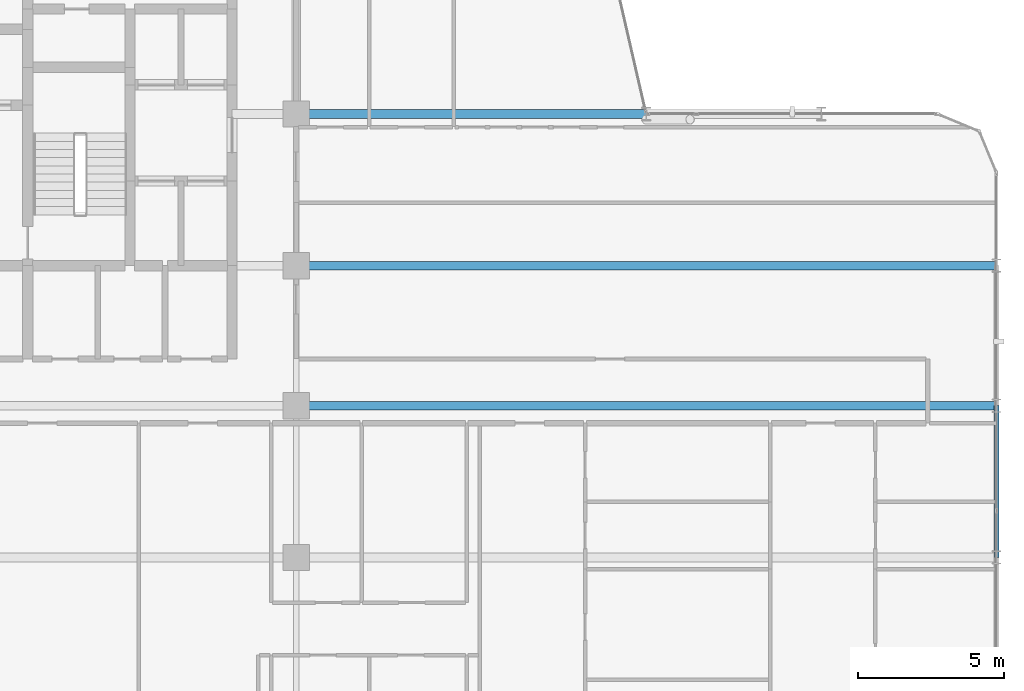
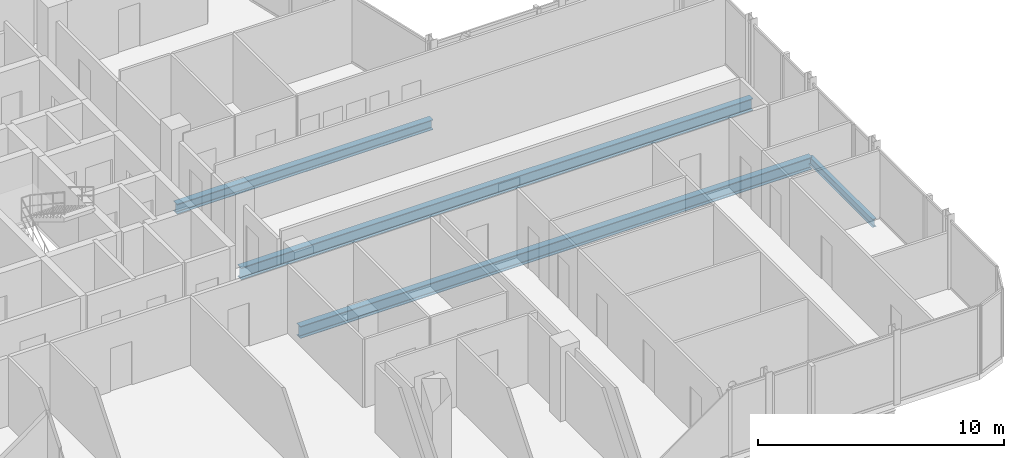
# One storey, part 13 of 29: 4 beams.
"""IFC4 building model written with IfcOpenShell, lengths in metres."""

from ifc_helpers import new_model, si_unit, direction, frame, origin, origin_2d, place, context, subcontext, project, spatial, i_section, extrude, material, material_profile, profile_set, type_object, element, save


model = new_model("IFC4")

# Units and contexts
model_context = context("Model", 3, precision=1e-05, world=origin(), true_north=direction((0.0, 1.0)))
body_context = subcontext(model_context, "Body", "Model", "MODEL_VIEW")
ifc_project = project(units=[si_unit("LENGTHUNIT", "METRE"), si_unit("AREAUNIT", "SQUARE_METRE"), si_unit("VOLUMEUNIT", "CUBIC_METRE"), si_unit("PLANEANGLEUNIT", "RADIAN"), si_unit("MASSUNIT", "GRAM", prefix="KILO")], contexts=[model_context])

# Site, building, storey
site_placement = place(None, origin())
site = spatial("IfcSite", under=ifc_project, at=site_placement, CompositionType="ELEMENT")
building_placement = place(site_placement, origin())
building = spatial("IfcBuilding", under=site, at=building_placement, Name="Keshet Zoharim Tower", CompositionType="ELEMENT")
storey_placement = place(building_placement, frame((0.0, 0.0, 203.199951171875)))
storey = spatial("IfcBuildingStorey", under=building, at=storey_placement, Name="L50", CompositionType="ELEMENT", Elevation=203.199951171875)

# Beams
ifc_material = material(Name="Steel S355", Category="steel")
ifc_material_profile_1 = material_profile(ifc_material, i_section(OverallWidth=0.300048828125, OverallDepth=0.60009765625, WebThickness=0.015380859375, FlangeThickness=0.030029296875, FilletRadius=0.027099609375, at=origin_2d()), Name="HEB600")
ifc_profile_set_1 = profile_set([ifc_material_profile_1], Name="Steel S355")
beam_type_1 = type_object("IfcBeamType", Name="BM-LNG-HB600", PredefinedType="BEAM", material=ifc_profile_set_1)
for number, where, z_axis, x_axis, name in (
    (1, (33.0, 17.89990234375, -0.60986328125), (1.0, 0.0, 0.0), (0.0, 1.0, 0.0), "L50 Primary Girder X-013"),
    (2, (33.0, 22.699951171875, -0.60986328125), (1.0, 0.0, 0.0), (0.0, 1.0, 0.0), "L50 Primary Girder X-014"),
):
    element("IfcBeam", number, at=place(storey_placement, frame(where, z_axis=z_axis, x_axis=x_axis)), inside=storey, type_object=beam_type_1, Name=name, PredefinedType="BEAM", context=body_context, shape_type="SweptSolid", body=[
        extrude(i_section(OverallWidth=0.300048828125, OverallDepth=0.60009765625, WebThickness=0.015380859375, FlangeThickness=0.030029296875, FilletRadius=0.027099609375, at=origin_2d()), origin(), (0.0, 0.0, 1.0), 24.0),
    ])
ifc_material_profile_2 = material_profile(ifc_material, i_section(OverallWidth=0.300048828125, OverallDepth=0.5, WebThickness=0.014404296875, FlangeThickness=0.028076171875, FilletRadius=0.027099609375, at=origin_2d()), Name="HEB500")
ifc_profile_set_2 = profile_set([ifc_material_profile_2], Name="Steel S355")
beam_type_2 = type_object("IfcBeamType", Name="BM-MED-HB500", PredefinedType="BEAM", material=ifc_profile_set_2)
beam_1_placement = place(storey_placement, frame((33.0, 27.89990234375, -0.56005859375), z_axis=(1.0, 0.0, 0.0), x_axis=(0.0, 1.0, 0.0)))
element("IfcBeam", 3, at=beam_1_placement, inside=storey, type_object=beam_type_2, Name="L50 Primary Girder X-015", PredefinedType="BEAM", context=body_context, shape_type="SweptSolid", body=[
    extrude(i_section(OverallWidth=0.300048828125, OverallDepth=0.5, WebThickness=0.014404296875, FlangeThickness=0.028076171875, FilletRadius=0.027099609375, at=origin_2d()), origin(), (0.0, 0.0, 1.0), 12.0),
])
ifc_material_profile_3 = material_profile(ifc_material, i_section(OverallWidth=0.179931640625, OverallDepth=0.39990234375, WebThickness=0.008544921875, FlangeThickness=0.013427734375, FilletRadius=0.02099609375, at=origin_2d()), Name="IPE400")
ifc_profile_set_3 = profile_set([ifc_material_profile_3], Name="Steel S355")
beam_type_3 = type_object("IfcBeamType", Name="BM-PRI-IP400", PredefinedType="BEAM", material=ifc_profile_set_3)
beam_2_placement = place(storey_placement, frame((57.0, 12.699951171875, -0.510009765625), z_axis=(0.0, 1.0, 0.0), x_axis=(-1.0, 0.0, 0.0)))
element("IfcBeam", 4, at=beam_2_placement, inside=storey, type_object=beam_type_3, Name="L50 Primary Girder Y-014", PredefinedType="BEAM", context=body_context, shape_type="SweptSolid", body=[
    extrude(i_section(OverallWidth=0.179931640625, OverallDepth=0.39990234375, WebThickness=0.008544921875, FlangeThickness=0.013427734375, FilletRadius=0.02099609375, at=origin_2d()), origin(), (0.0, 0.0, 1.0), 5.199951171875),
])

save(model, "model.ifc")
